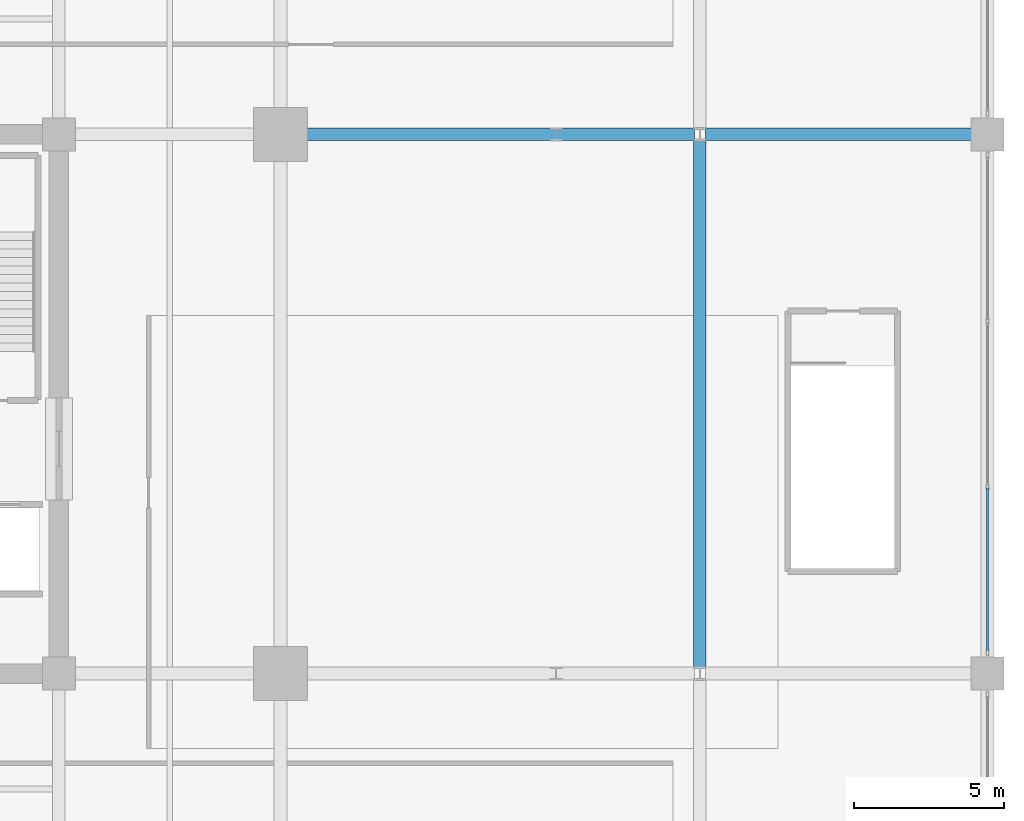
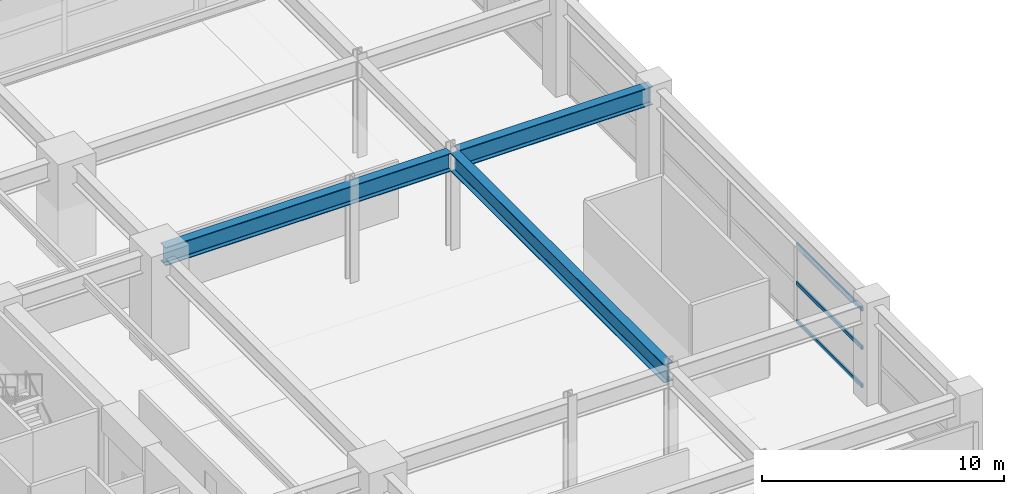
# One storey, part 23 of 35: 3 beams, 3 members, 1 element without a shape of its own.
"""IFC4 building model written with IfcOpenShell, lengths in metres."""

from ifc_helpers import new_model, si_unit, direction, frame, origin, origin_2d, place, context, subcontext, project, spatial, hollow_rectangle, i_section, extrude, material, material_profile, profile_set, type_object, element, aggregate, save


model = new_model("IFC4")

# Units and contexts
model_context = context("Model", 3, precision=1e-05, world=origin(), true_north=direction((0.0, 1.0)))
body_context = subcontext(model_context, "Body", "Model", "MODEL_VIEW")
ifc_project = project(units=[si_unit("LENGTHUNIT", "METRE"), si_unit("AREAUNIT", "SQUARE_METRE"), si_unit("VOLUMEUNIT", "CUBIC_METRE"), si_unit("PLANEANGLEUNIT", "RADIAN"), si_unit("MASSUNIT", "GRAM", prefix="KILO")], contexts=[model_context])

# Site, building, storey
site_placement = place(None, origin())
site = spatial("IfcSite", under=ifc_project, at=site_placement, CompositionType="ELEMENT")
building_placement = place(site_placement, origin())
building = spatial("IfcBuilding", under=site, at=building_placement, Name="Kovane Verandah Tower", CompositionType="ELEMENT")
storey_placement = place(building_placement, frame((0.0, 0.0, 16.39990234375)))
storey = spatial("IfcBuildingStorey", under=building, at=storey_placement, Name="L03", CompositionType="ELEMENT", Elevation=16.39990234375)

# Beams
ifc_material_1 = material(Name="Steel S460", Category="steel")
ifc_material_profile_1 = material_profile(ifc_material_1, i_section(OverallWidth=0.42041015625, OverallDepth=0.9208984375, WebThickness=0.021484375, FlangeThickness=0.03662109375, FilletRadius=0.024169921875, at=origin_2d()), Name="UB914x419x388")
ifc_profile_set_1 = profile_set([ifc_material_profile_1], Name="Steel S460")
beam_type = type_object("IfcBeamType", Name="BM-UB914x388", PredefinedType="BEAM", material=ifc_profile_set_1)
beam_1_placement = place(storey_placement, frame((58.580078125, 36.5, 4.439697265625), z_axis=(1.0, 0.0, 0.0), x_axis=(0.0, 1.0, 0.0)))
element("IfcBeam", 1, at=beam_1_placement, inside=storey, type_object=beam_type, Name="L03 Podium Garden Transfer Girder X11", PredefinedType="BEAM", context=body_context, shape_type="SweptSolid", body=[
    extrude(i_section(OverallWidth=0.42041015625, OverallDepth=0.9208984375, WebThickness=0.021484375, FlangeThickness=0.03662109375, FilletRadius=0.024169921875, at=origin_2d()), origin(), (0.0, 0.0, 1.0), 13.639892578125),
])
beam_2_placement = place(storey_placement, frame((72.580078125, 36.5, 4.439697265625), z_axis=(1.0, 0.0, 0.0), x_axis=(0.0, 1.0, 0.0)))
element("IfcBeam", 2, at=beam_2_placement, inside=storey, type_object=beam_type, Name="L03 Podium Garden Transfer Girder X12", PredefinedType="BEAM", context=body_context, shape_type="SweptSolid", body=[
    extrude(i_section(OverallWidth=0.42041015625, OverallDepth=0.9208984375, WebThickness=0.021484375, FlangeThickness=0.03662109375, FilletRadius=0.024169921875, at=origin_2d()), origin(), (0.0, 0.0, 1.0), 9.239990234375),
])
beam_3_placement = place(storey_placement, frame((72.39990234375, 18.679931640625, 4.439697265625), z_axis=(0.0, 1.0, 0.0), x_axis=(-1.0, 0.0, 0.0)))
element("IfcBeam", 3, at=beam_3_placement, inside=storey, type_object=beam_type, Name="L03 Podium Garden Transfer Girder Y37", PredefinedType="BEAM", context=body_context, shape_type="SweptSolid", body=[
    extrude(i_section(OverallWidth=0.42041015625, OverallDepth=0.9208984375, WebThickness=0.021484375, FlangeThickness=0.03662109375, FilletRadius=0.024169921875, at=origin_2d()), origin(), (0.0, 0.0, 1.0), 17.64013671875),
])

# Curtain wall, members
ifc_material_2 = material(Name="Champagne Anodised Aluminium Frame with Low-E Clear Laminated Glass", Category="aluminium")
curtain_wall_type = type_object("IfcCurtainWallType", Name="CW-SYS-01-POD", PredefinedType="NOTDEFINED", material=ifc_material_2)
curtain_wall_placement = place(storey_placement, origin())
curtain_wall = element("IfcCurtainWall", 4, at=curtain_wall_placement, inside=storey, type_object=curtain_wall_type, Name="L03 East Podium Curtain Wall Bay 3", PredefinedType="NOTDEFINED")
ifc_material_3 = material(Name="Champagne Anodised Aluminium 6063-T6", Category="aluminium")
ifc_material_profile_2 = material_profile(ifc_material_3, hollow_rectangle(XDim=0.0849609375, YDim=0.18994140625, WallThickness=0.00390625, at=origin_2d()), Name="AL85x190x4")
ifc_profile_set_2 = profile_set([ifc_material_profile_2], Name="Champagne Anodised Aluminium 6063-T6")
member_type = type_object("IfcMemberType", Name="CW-TRN-85x190", PredefinedType="USERDEFINED", material=ifc_profile_set_2)
member_1_placement = place(storey_placement, frame((82.0, 19.27001953125, 0.050048828125), z_axis=(0.0, 1.0, 0.0), x_axis=(-1.0, 0.0, 0.0)))
member_1 = element("IfcMember", 5, at=member_1_placement, type_object=member_type, Name="L03 East Podium Curtain Wall Bay 3 Transom TB Bay 1", ObjectType="TRANSOM", PredefinedType="USERDEFINED", context=body_context, shape_type="SweptSolid", body=[
    extrude(hollow_rectangle(XDim=0.0849609375, YDim=0.18994140625, WallThickness=0.00390625, at=origin_2d()), origin(), (0.0, 0.0, 1.0), 5.419921875),
])
member_2_placement = place(storey_placement, frame((82.0, 19.27001953125, 1.9794921875), z_axis=(0.0, 1.0, 0.0), x_axis=(-1.0, 0.0, 0.0)))
member_2 = element("IfcMember", 6, at=member_2_placement, type_object=member_type, Name="L03 East Podium Curtain Wall Bay 3 Transom TM Bay 1", ObjectType="TRANSOM", PredefinedType="USERDEFINED", context=body_context, shape_type="SweptSolid", body=[
    extrude(hollow_rectangle(XDim=0.0849609375, YDim=0.18994140625, WallThickness=0.00390625, at=origin_2d()), origin(), (0.0, 0.0, 1.0), 5.419921875),
])
member_3_placement = place(storey_placement, frame((82.0, 19.27001953125, 3.9091796875), z_axis=(0.0, 1.0, 0.0), x_axis=(-1.0, 0.0, 0.0)))
member_3 = element("IfcMember", 7, at=member_3_placement, type_object=member_type, Name="L03 East Podium Curtain Wall Bay 3 Transom TT Bay 1", ObjectType="TRANSOM", PredefinedType="USERDEFINED", context=body_context, shape_type="SweptSolid", body=[
    extrude(hollow_rectangle(XDim=0.0849609375, YDim=0.18994140625, WallThickness=0.00390625, at=origin_2d()), origin(), (0.0, 0.0, 1.0), 5.419921875),
])
aggregate(curtain_wall, [member_1, member_2, member_3])

save(model, "model.ifc")
